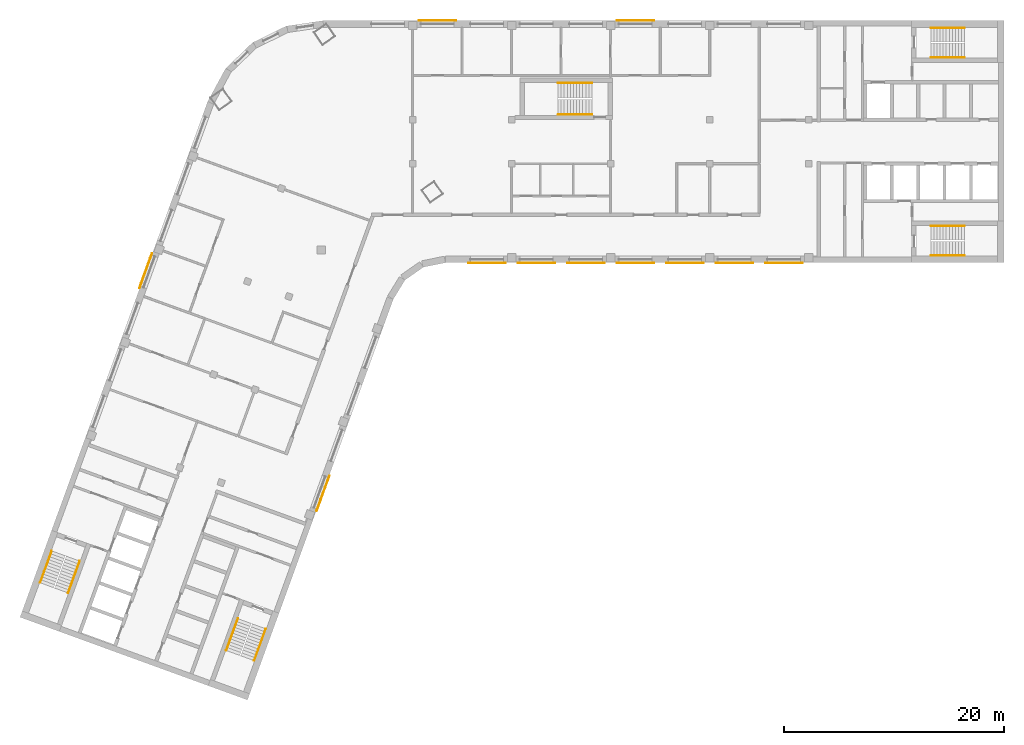
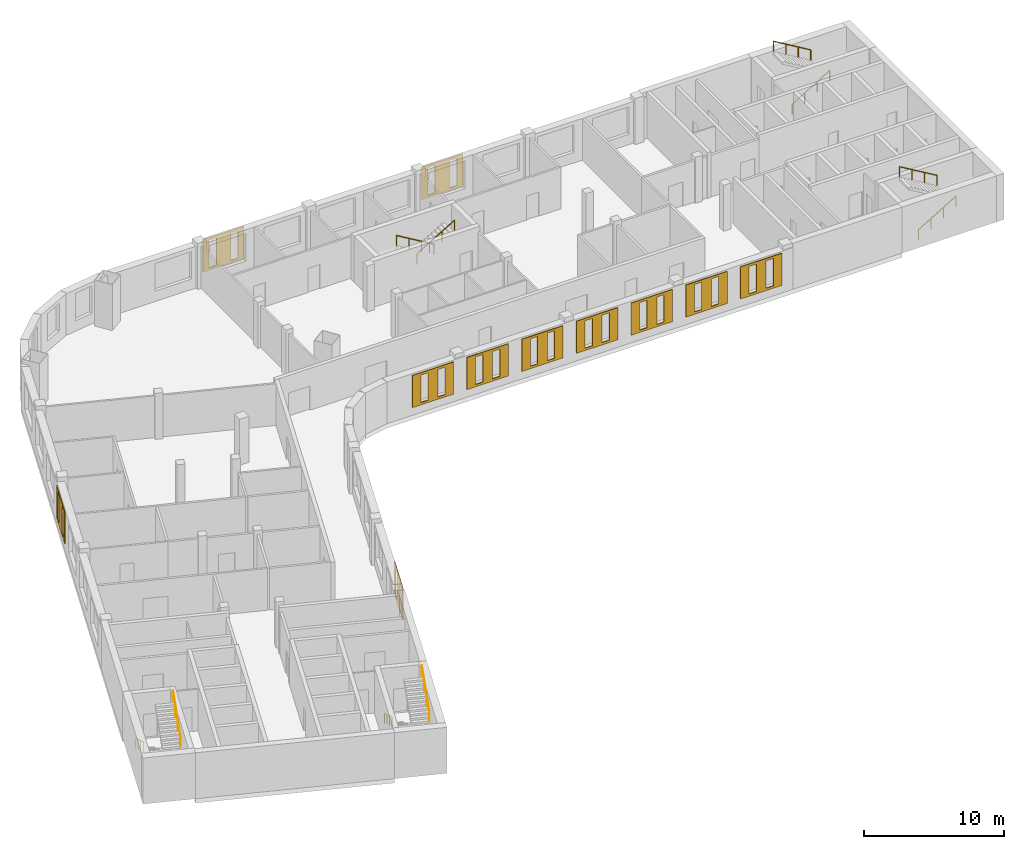
# One storey, part 8 of 8: 11 coverings, 10 railings.
"""IFC4 building model written with IfcOpenShell, lengths in metres."""

from ifc_helpers import new_model, si_unit, direction, frame, origin, origin_2d, place, context, subcontext, project, spatial, polyline, circle, outline, extrude, material, material_profile, profile_set, type_object, element, save


model = new_model("IFC4")

# Units and contexts
model_context = context("Model", 3, precision=1e-05, world=origin(), true_north=direction((0.0, 1.0)))
body_context = subcontext(model_context, "Body", "Model", "MODEL_VIEW")
ifc_project = project(units=[si_unit("LENGTHUNIT", "METRE"), si_unit("AREAUNIT", "SQUARE_METRE"), si_unit("VOLUMEUNIT", "CUBIC_METRE"), si_unit("PLANEANGLEUNIT", "RADIAN"), si_unit("MASSUNIT", "GRAM", prefix="KILO")], contexts=[model_context])

# Site, building, storey
site_placement = place(None, origin())
site = spatial("IfcSite", under=ifc_project, at=site_placement, CompositionType="ELEMENT")
building_placement = place(site_placement, origin())
building = spatial("IfcBuilding", under=site, at=building_placement, Name="Skarvind Civic Tower", CompositionType="ELEMENT")
storey_placement = place(building_placement, frame((0.0, 0.0, 208.0)))
storey = spatial("IfcBuildingStorey", under=building, at=storey_placement, Name="L49", CompositionType="ELEMENT", Elevation=208.0)

# Railings
ifc_material_1 = material(Name="Painted steel handrail", Category="steel")
railing_type = type_object("IfcRailingType", Name="Stair handrail 900", PredefinedType="HANDRAIL", material=ifc_material_1)
railing_1_placement = place(storey_placement, frame((101.35009765625, 135.64990234375, 0.166748046875)))
element("IfcRailing", 1, at=railing_1_placement, inside=storey, type_object=railing_type, Name="Stair handrail", PredefinedType="HANDRAIL", context=body_context, shape_type="SweptSolid", body=[
    extrude(circle(Radius=0.02392578125, at=origin_2d()), frame((0.0, 0.0, 0.8759765625), z_axis=(0.859290745958, 0.0, 0.51148745235), x_axis=(0.0, 1.0, 0.0)), (0.0, 0.0, 1.0), 3.584228515625),
    extrude(circle(Radius=0.02099609375, at=origin_2d()), origin(), (0.0, 0.0, 1.0), 0.851806640625),
    extrude(circle(Radius=0.02099609375, at=origin_2d()), frame((1.026611328125, 0.0, 0.611083984375)), (0.0, 0.0, 1.0), 0.851806640625),
    extrude(circle(Radius=0.02099609375, at=origin_2d()), frame((2.05322265625, 0.0, 1.22216796875)), (0.0, 0.0, 1.0), 0.851806640625),
    extrude(circle(Radius=0.02099609375, at=origin_2d()), frame((3.079833984375, 0.0, 1.833251953125)), (0.0, 0.0, 1.0), 0.851806640625),
])
railing_2_placement = place(storey_placement, frame((104.429931640625, 138.35009765625, 2.166748046875)))
element("IfcRailing", 2, at=railing_2_placement, inside=storey, type_object=railing_type, Name="Stair handrail", PredefinedType="HANDRAIL", context=body_context, shape_type="SweptSolid", body=[
    extrude(circle(Radius=0.02392578125, at=origin_2d()), frame((0.0, 0.0, 0.8759765625), z_axis=(-0.859290745958, 0.0, 0.51148745235), x_axis=(0.0, -1.0, 0.0)), (0.0, 0.0, 1.0), 3.584228515625),
    extrude(circle(Radius=0.02099609375, at=origin_2d()), origin(), (0.0, 0.0, 1.0), 0.851806640625),
    extrude(circle(Radius=0.02099609375, at=origin_2d()), frame((-1.026611328125, 0.0, 0.611083984375)), (0.0, 0.0, 1.0), 0.851806640625),
    extrude(circle(Radius=0.02099609375, at=origin_2d()), frame((-2.05322265625, 0.0, 1.22216796875)), (0.0, 0.0, 1.0), 0.851806640625),
    extrude(circle(Radius=0.02099609375, at=origin_2d()), frame((-3.079833984375, 0.0, 1.833251953125)), (0.0, 0.0, 1.0), 0.851806640625),
])
railing_3_placement = place(storey_placement, frame((101.35009765625, 117.64990234375, 0.166748046875)))
element("IfcRailing", 3, at=railing_3_placement, inside=storey, type_object=railing_type, Name="Stair handrail", PredefinedType="HANDRAIL", context=body_context, shape_type="SweptSolid", body=[
    extrude(circle(Radius=0.02392578125, at=origin_2d()), frame((0.0, 0.0, 0.8759765625), z_axis=(0.859290745958, 0.0, 0.51148745235), x_axis=(0.0, 1.0, 0.0)), (0.0, 0.0, 1.0), 3.584228515625),
    extrude(circle(Radius=0.02099609375, at=origin_2d()), origin(), (0.0, 0.0, 1.0), 0.851806640625),
    extrude(circle(Radius=0.02099609375, at=origin_2d()), frame((1.026611328125, 0.0, 0.611083984375)), (0.0, 0.0, 1.0), 0.851806640625),
    extrude(circle(Radius=0.02099609375, at=origin_2d()), frame((2.05322265625, 0.0, 1.22216796875)), (0.0, 0.0, 1.0), 0.851806640625),
    extrude(circle(Radius=0.02099609375, at=origin_2d()), frame((3.079833984375, 0.0, 1.833251953125)), (0.0, 0.0, 1.0), 0.851806640625),
])
railing_4_placement = place(storey_placement, frame((104.429931640625, 120.35009765625, 2.166748046875)))
element("IfcRailing", 4, at=railing_4_placement, inside=storey, type_object=railing_type, Name="Stair handrail", PredefinedType="HANDRAIL", context=body_context, shape_type="SweptSolid", body=[
    extrude(circle(Radius=0.02392578125, at=origin_2d()), frame((0.0, 0.0, 0.8759765625), z_axis=(-0.859290745958, 0.0, 0.51148745235), x_axis=(0.0, -1.0, 0.0)), (0.0, 0.0, 1.0), 3.584228515625),
    extrude(circle(Radius=0.02099609375, at=origin_2d()), origin(), (0.0, 0.0, 1.0), 0.851806640625),
    extrude(circle(Radius=0.02099609375, at=origin_2d()), frame((-1.026611328125, 0.0, 0.611083984375)), (0.0, 0.0, 1.0), 0.851806640625),
    extrude(circle(Radius=0.02099609375, at=origin_2d()), frame((-2.05322265625, 0.0, 1.22216796875)), (0.0, 0.0, 1.0), 0.851806640625),
    extrude(circle(Radius=0.02099609375, at=origin_2d()), frame((-3.079833984375, 0.0, 1.833251953125)), (0.0, 0.0, 1.0), 0.851806640625),
])
railing_5_placement = place(storey_placement, frame((38.362060546875, 84.64794921875, 0.166748046875)))
element("IfcRailing", 5, at=railing_5_placement, inside=storey, type_object=railing_type, Name="Stair handrail", PredefinedType="HANDRAIL", context=body_context, shape_type="SweptSolid", body=[
    extrude(circle(Radius=0.02392578125, at=origin_2d()), frame((0.0, 0.0, 0.8759765625), z_axis=(-0.293908055923, -0.807480881337, 0.511461319103), x_axis=(0.939689235759, -0.342029443467, 0.0)), (0.0, 0.0, 1.0), 3.584228515625),
    extrude(circle(Radius=0.02099609375, at=origin_2d()), origin(), (0.0, 0.0, 1.0), 0.851806640625),
    extrude(circle(Radius=0.02099609375, at=origin_2d()), frame((-0.35107421875, -0.96484375, 0.611083984375)), (0.0, 0.0, 1.0), 0.851806640625),
    extrude(circle(Radius=0.02099609375, at=origin_2d()), frame((-0.702392578125, -1.929443359375, 1.22216796875)), (0.0, 0.0, 1.0), 0.851806640625),
    extrude(circle(Radius=0.02099609375, at=origin_2d()), frame((-1.053466796875, -2.894287109375, 1.833251953125)), (0.0, 0.0, 1.0), 0.851806640625),
])
railing_6_placement = place(storey_placement, frame((39.845703125, 80.830078125, 2.166748046875)))
element("IfcRailing", 6, at=railing_6_placement, inside=storey, type_object=railing_type, Name="Stair handrail", PredefinedType="HANDRAIL", context=body_context, shape_type="SweptSolid", body=[
    extrude(circle(Radius=0.02392578125, at=origin_2d()), frame((0.0, 0.0, 0.8759765625), z_axis=(0.293908055923, 0.807480881337, 0.511461319103), x_axis=(-0.939689235759, 0.342029443467, 0.0)), (0.0, 0.0, 1.0), 3.584228515625),
    extrude(circle(Radius=0.02099609375, at=origin_2d()), origin(), (0.0, 0.0, 1.0), 0.851806640625),
    extrude(circle(Radius=0.02099609375, at=origin_2d()), frame((0.35107421875, 0.96484375, 0.611083984375)), (0.0, 0.0, 1.0), 0.851806640625),
    extrude(circle(Radius=0.02099609375, at=origin_2d()), frame((0.702392578125, 1.929443359375, 1.22216796875)), (0.0, 0.0, 1.0), 0.851806640625),
    extrude(circle(Radius=0.02099609375, at=origin_2d()), frame((1.053466796875, 2.894287109375, 1.833251953125)), (0.0, 0.0, 1.0), 0.851806640625),
])
railing_7_placement = place(storey_placement, frame((21.447509765625, 90.80419921875, 0.166748046875)))
element("IfcRailing", 7, at=railing_7_placement, inside=storey, type_object=railing_type, Name="Stair handrail", PredefinedType="HANDRAIL", context=body_context, shape_type="SweptSolid", body=[
    extrude(circle(Radius=0.02392578125, at=origin_2d()), frame((0.0, 0.0, 0.8759765625), z_axis=(-0.293845824691, -0.807497044902, 0.511471557163), x_axis=(0.939714709796, -0.34195944817, 0.0)), (0.0, 0.0, 1.0), 3.584228515625),
    extrude(circle(Radius=0.02099609375, at=origin_2d()), origin(), (0.0, 0.0, 1.0), 0.851806640625),
    extrude(circle(Radius=0.02099609375, at=origin_2d()), frame((-0.35107421875, -0.96484375, 0.611083984375)), (0.0, 0.0, 1.0), 0.851806640625),
    extrude(circle(Radius=0.02099609375, at=origin_2d()), frame((-0.7021484375, -1.929443359375, 1.22216796875)), (0.0, 0.0, 1.0), 0.851806640625),
    extrude(circle(Radius=0.02099609375, at=origin_2d()), frame((-1.05322265625, -2.894287109375, 1.833251953125)), (0.0, 0.0, 1.0), 0.851806640625),
])
railing_8_placement = place(storey_placement, frame((22.931396484375, 86.986572265625, 2.166748046875)))
element("IfcRailing", 8, at=railing_8_placement, inside=storey, type_object=railing_type, Name="Stair handrail", PredefinedType="HANDRAIL", context=body_context, shape_type="SweptSolid", body=[
    extrude(circle(Radius=0.02392578125, at=origin_2d()), frame((0.0, 0.0, 0.8759765625), z_axis=(0.293908055923, 0.807480881337, 0.511461319103), x_axis=(-0.939689235759, 0.342029443467, 0.0)), (0.0, 0.0, 1.0), 3.584228515625),
    extrude(circle(Radius=0.02099609375, at=origin_2d()), origin(), (0.0, 0.0, 1.0), 0.851806640625),
    extrude(circle(Radius=0.02099609375, at=origin_2d()), frame((0.35107421875, 0.96484375, 0.611083984375)), (0.0, 0.0, 1.0), 0.851806640625),
    extrude(circle(Radius=0.02099609375, at=origin_2d()), frame((0.702392578125, 1.929443359375, 1.22216796875)), (0.0, 0.0, 1.0), 0.851806640625),
    extrude(circle(Radius=0.02099609375, at=origin_2d()), frame((1.053466796875, 2.894287109375, 1.833251953125)), (0.0, 0.0, 1.0), 0.851806640625),
])
railing_9_placement = place(storey_placement, frame((70.550048828125, 133.35009765625, 0.166748046875)))
element("IfcRailing", 9, at=railing_9_placement, inside=storey, type_object=railing_type, Name="Stair handrail", PredefinedType="HANDRAIL", context=body_context, shape_type="SweptSolid", body=[
    extrude(circle(Radius=0.02392578125, at=origin_2d()), frame((0.0, 0.0, 0.8759765625), z_axis=(-0.859308565015, 0.0, 0.511457515432), x_axis=(0.0, -1.0, 0.0)), (0.0, 0.0, 1.0), 3.58447265625),
    extrude(circle(Radius=0.02099609375, at=origin_2d()), origin(), (0.0, 0.0, 1.0), 0.851806640625),
    extrude(circle(Radius=0.02099609375, at=origin_2d()), frame((-1.026611328125, 0.0, 0.611083984375)), (0.0, 0.0, 1.0), 0.851806640625),
    extrude(circle(Radius=0.02099609375, at=origin_2d()), frame((-2.053466796875, 0.0, 1.22216796875)), (0.0, 0.0, 1.0), 0.851806640625),
    extrude(circle(Radius=0.02099609375, at=origin_2d()), frame((-3.080078125, 0.0, 1.833251953125)), (0.0, 0.0, 1.0), 0.851806640625),
])
railing_10_placement = place(storey_placement, frame((67.469970703125, 130.449951171875, 2.166748046875)))
element("IfcRailing", 10, at=railing_10_placement, inside=storey, type_object=railing_type, Name="Stair handrail", PredefinedType="HANDRAIL", context=body_context, shape_type="SweptSolid", body=[
    extrude(circle(Radius=0.02392578125, at=origin_2d()), frame((0.0, 0.0, 0.8759765625), z_axis=(0.859308565015, 0.0, 0.511457515432), x_axis=(0.0, 1.0, 0.0)), (0.0, 0.0, 1.0), 3.58447265625),
    extrude(circle(Radius=0.02099609375, at=origin_2d()), origin(), (0.0, 0.0, 1.0), 0.851806640625),
    extrude(circle(Radius=0.02099609375, at=origin_2d()), frame((1.026611328125, 0.0, 0.611083984375)), (0.0, 0.0, 1.0), 0.851806640625),
    extrude(circle(Radius=0.02099609375, at=origin_2d()), frame((2.053466796875, 0.0, 1.22216796875)), (0.0, 0.0, 1.0), 0.851806640625),
    extrude(circle(Radius=0.02099609375, at=origin_2d()), frame((3.080078125, 0.0, 1.833251953125)), (0.0, 0.0, 1.0), 0.851806640625),
])

# Coverings
ifc_material_2 = material(Name="Terracotta", Category="masonry")
ifc_material_profile_1 = material_profile(ifc_material_2, outline(polyline([(-1.699951171875, -1.39990234375), (1.699951171875, -1.39990234375), (1.699951171875, 1.39990234375), (-1.699951171875, 1.39990234375), (-1.699951171875, -1.39990234375)]), holes=[polyline([(-1.0, -1.18994140625), (-0.39990234375, -1.18994140625), (-0.39990234375, 1.18994140625), (-1.0, 1.18994140625), (-1.0, -1.18994140625)]), polyline([(0.39990234375, -1.18994140625), (1.0, -1.18994140625), (1.0, 1.18994140625), (0.39990234375, 1.18994140625), (0.39990234375, -1.18994140625)])]), Name="TERRACOTTA SCREEN 3400 x 2800, SLIT PITCH 1400")
ifc_profile_set_1 = profile_set([ifc_material_profile_1], Name="Terracotta")
covering_type_1 = type_object("IfcCoveringType", Name="TERRACOTTA SCREEN 3400 x 2800, SLIT PITCH 1400", PredefinedType="CLADDING", material=ifc_profile_set_1)
for number, where, z_axis, x_axis, name in (
    (11, (88.0, 117.0, 2.10009765625), (0.0, -1.0, 0.0), (1.0, 0.0, 0.0), "TERRACOTTA SCREEN"),
    (12, (83.5, 117.0, 2.10009765625), (0.0, -1.0, 0.0), (1.0, 0.0, 0.0), "TERRACOTTA SCREEN"),
    (13, (79.0, 117.0, 2.10009765625), (0.0, -1.0, 0.0), (1.0, 0.0, 0.0), "TERRACOTTA SCREEN"),
    (14, (74.5, 117.0, 2.10009765625), (0.0, -1.0, 0.0), (1.0, 0.0, 0.0), "TERRACOTTA SCREEN"),
    (15, (70.0, 117.0, 2.10009765625), (0.0, -1.0, 0.0), (1.0, 0.0, 0.0), "TERRACOTTA SCREEN"),
    (16, (65.5, 117.0, 2.10009765625), (0.0, -1.0, 0.0), (1.0, 0.0, 0.0), "TERRACOTTA SCREEN"),
    (17, (61.0, 117.0, 2.10009765625), (0.0, -1.0, 0.0), (1.0, 0.0, 0.0), "TERRACOTTA SCREEN"),
):
    element("IfcCovering", number, at=place(storey_placement, frame(where, z_axis=z_axis, x_axis=x_axis)), inside=storey, type_object=covering_type_1, Name=name, PredefinedType="CLADDING", context=body_context, shape_type="SweptSolid", body=[
        extrude(outline(polyline([(-1.699951171875, -1.39990234375), (1.699951171875, -1.39990234375), (1.699951171875, 1.39990234375), (-1.699951171875, 1.39990234375), (-1.699951171875, -1.39990234375)]), holes=[polyline([(-1.0, -1.18994140625), (-0.39990234375, -1.18994140625), (-0.39990234375, 1.18994140625), (-1.0, 1.18994140625), (-1.0, -1.18994140625)]), polyline([(0.39990234375, -1.18994140625), (1.0, -1.18994140625), (1.0, 1.18994140625), (0.39990234375, 1.18994140625), (0.39990234375, -1.18994140625)])]), origin(), (0.0, 0.0, 1.0), 0.06005859375),
    ])
ifc_material_profile_2 = material_profile(ifc_material_2, outline(polyline([(-1.699951171875, -1.39990234375), (1.699951171875, -1.39990234375), (1.699951171875, 1.39990234375), (-1.699951171875, 1.39990234375), (-1.699951171875, -1.39990234375)]), holes=[polyline([(-1.199951171875, -1.18994140625), (-0.60009765625, -1.18994140625), (-0.60009765625, 1.18994140625), (-1.199951171875, 1.18994140625), (-1.199951171875, -1.18994140625)]), polyline([(0.60009765625, -1.18994140625), (1.199951171875, -1.18994140625), (1.199951171875, 1.18994140625), (0.60009765625, 1.18994140625), (0.60009765625, -1.18994140625)])]), Name="TERRACOTTA SCREEN 3400 x 2800, SLIT PITCH 1800")
ifc_profile_set_2 = profile_set([ifc_material_profile_2], Name="Terracotta")
covering_type_2 = type_object("IfcCoveringType", Name="TERRACOTTA SCREEN 3400 x 2800, SLIT PITCH 1800", PredefinedType="CLADDING", material=ifc_profile_set_2)
for number, where, z_axis, x_axis, name in (
    (18, (46.075927734375, 96.047119140625, 2.10009765625), (0.939793423488, -0.341743063087, 0.0), (0.341743063087, 0.939793423488, 0.0), "TERRACOTTA SCREEN"),
    (19, (56.5, 139.0, 2.10009765625), (0.0, 1.0, 0.0), (-1.0, 0.0, 0.0), "TERRACOTTA SCREEN"),
    (20, (74.5, 139.0, 2.10009765625), (0.0, 1.0, 0.0), (-1.0, 0.0, 0.0), "TERRACOTTA SCREEN"),
    (21, (30.02001953125, 116.25732421875, 2.10009765625), (-0.939793423488, 0.341743063087, 0.0), (-0.341743063087, -0.939793423488, 0.0), "TERRACOTTA SCREEN"),
):
    element("IfcCovering", number, at=place(storey_placement, frame(where, z_axis=z_axis, x_axis=x_axis)), inside=storey, type_object=covering_type_2, Name=name, PredefinedType="CLADDING", context=body_context, shape_type="SweptSolid", body=[
        extrude(outline(polyline([(-1.699951171875, -1.39990234375), (1.699951171875, -1.39990234375), (1.699951171875, 1.39990234375), (-1.699951171875, 1.39990234375), (-1.699951171875, -1.39990234375)]), holes=[polyline([(-1.199951171875, -1.18994140625), (-0.60009765625, -1.18994140625), (-0.60009765625, 1.18994140625), (-1.199951171875, 1.18994140625), (-1.199951171875, -1.18994140625)]), polyline([(0.60009765625, -1.18994140625), (1.199951171875, -1.18994140625), (1.199951171875, 1.18994140625), (0.60009765625, 1.18994140625), (0.60009765625, -1.18994140625)])]), origin(), (0.0, 0.0, 1.0), 0.06005859375),
    ])

save(model, "model.ifc")
